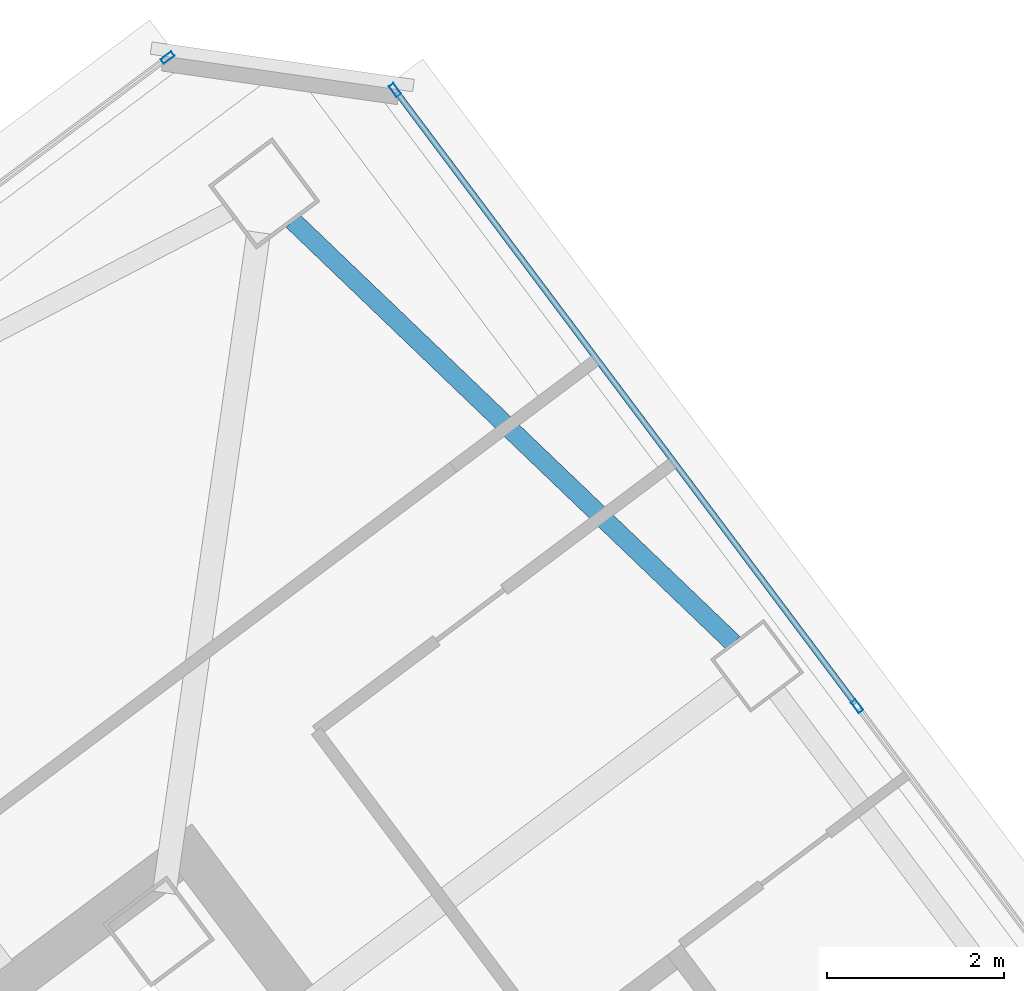
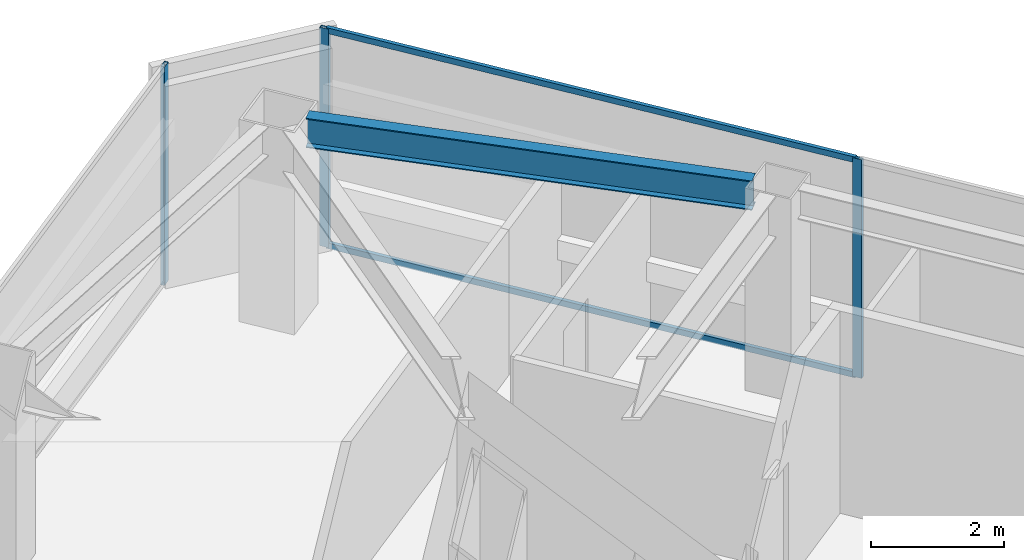
# One storey, part 37 of 51: 5 members, 1 beam, 2 elements without a shape of their own.
"""IFC4 building model written with IfcOpenShell, lengths in metres."""

from ifc_helpers import new_model, si_unit, direction, frame, origin, origin_2d, place, context, subcontext, project, spatial, hollow_rectangle, i_section, extrude, material, material_profile, profile_set, type_object, element, aggregate, save


model = new_model("IFC4")

# Units and contexts
model_context = context("Model", 3, precision=1e-05, world=origin(), true_north=direction((0.0, 1.0)))
body_context = subcontext(model_context, "Body", "Model", "MODEL_VIEW")
ifc_project = project(units=[si_unit("LENGTHUNIT", "METRE"), si_unit("AREAUNIT", "SQUARE_METRE"), si_unit("VOLUMEUNIT", "CUBIC_METRE"), si_unit("PLANEANGLEUNIT", "RADIAN"), si_unit("MASSUNIT", "GRAM", prefix="KILO")], contexts=[model_context])

# Site, building, storey
site_placement = place(None, origin())
site = spatial("IfcSite", under=ifc_project, at=site_placement, CompositionType="ELEMENT")
building_placement = place(site_placement, origin())
building = spatial("IfcBuilding", under=site, at=building_placement, Name="Tashvorn Skyway Center", CompositionType="ELEMENT")
storey_placement = place(building_placement, frame((0.0, 0.0, 259.39990234375)))
storey = spatial("IfcBuildingStorey", under=building, at=storey_placement, Name="L70", CompositionType="ELEMENT", Elevation=259.39990234375)

# Beam
ifc_material_1 = material(Name="Steel ASTM A992 Grade 50", Category="steel")
ifc_material_profile_1 = material_profile(ifc_material_1, i_section(OverallWidth=0.2109375, OverallDepth=0.5390625, WebThickness=0.01171875, FlangeThickness=0.018798828125, at=origin_2d()), Name="W21X73")
ifc_profile_set_1 = profile_set([ifc_material_profile_1], Name="Steel ASTM A992 Grade 50")
beam_type = type_object("IfcBeamType", Name="BM-SPANDREL-W21X73", PredefinedType="SPANDREL", material=ifc_profile_set_1)
beam_placement = place(storey_placement, frame((121.892822265625, 45.1259765625, 3.4306640625), z_axis=(-0.721873091786, 0.692025461493, 0.0), x_axis=(-0.692025461493, -0.721873091786, 0.0)))
element("IfcBeam", 1, at=beam_placement, inside=storey, type_object=beam_type, Name="Tower 2 L70 Spandrel Beam 06", PredefinedType="SPANDREL", context=body_context, shape_type="SweptSolid", body=[
    extrude(i_section(OverallWidth=0.2109375, OverallDepth=0.5390625, WebThickness=0.01171875, FlangeThickness=0.018798828125, at=origin_2d()), origin(), (0.0, 0.0, 1.0), 6.88720703125),
])

# Curtain wall, member
ifc_material_2 = material(Name="Thermally broken bronze-anodized aluminium 6063-T6", Category="aluminium")
curtain_wall_type = type_object("IfcCurtainWallType", Name="CW-CW-SKY", PredefinedType="NOTDEFINED", material=ifc_material_2)
curtain_wall_1_placement = place(storey_placement, origin())
curtain_wall_1 = element("IfcCurtainWall", 2, at=curtain_wall_1_placement, inside=storey, type_object=curtain_wall_type, Name="Tower 2 L70 North Curtain Wall B", PredefinedType="NOTDEFINED")
ifc_material_profile_2 = material_profile(ifc_material_2, hollow_rectangle(XDim=0.06494140625, YDim=0.14990234375, WallThickness=0.00390625, at=origin_2d()), Name="ALU-MULL-65x150")
ifc_profile_set_2 = profile_set([ifc_material_profile_2], Name="Thermally broken bronze-anodized aluminium 6063-T6")
member_type_1 = type_object("IfcMemberType", Name="CWM-CW-SKY", PredefinedType="MULLION", material=ifc_profile_set_2)
member_1_placement = place(storey_placement, frame((115.510009765625, 51.732421875, 0.0), z_axis=(0.0, 0.0, 1.0), x_axis=(-0.600000000002, 0.799999999998, 0.0)))
member_1 = element("IfcMember", 3, at=member_1_placement, type_object=member_type_1, Name="CW-SKY mullion 3", PredefinedType="MULLION", context=body_context, shape_type="SweptSolid", body=[
    extrude(hollow_rectangle(XDim=0.06494140625, YDim=0.14990234375, WallThickness=0.00390625, at=origin_2d()), origin(), (0.0, 0.0, 1.0), 4.0),
])
aggregate(curtain_wall_1, [member_1])

# Curtain wall, members
curtain_wall_2_placement = place(storey_placement, origin())
curtain_wall_2 = element("IfcCurtainWall", 4, at=curtain_wall_2_placement, inside=storey, type_object=curtain_wall_type, Name="Tower 2 L70 East Unitised Curtain Wall", PredefinedType="NOTDEFINED")
member_2_placement = place(storey_placement, frame((118.075439453125, 51.365966796875, 0.0), z_axis=(0.0, 0.0, 1.0), x_axis=(0.799999999998, 0.600000000002, 0.0)))
member_2 = element("IfcMember", 5, at=member_2_placement, type_object=member_type_1, Name="CW-SKY mullion 1", PredefinedType="MULLION", context=body_context, shape_type="SweptSolid", body=[
    extrude(hollow_rectangle(XDim=0.06494140625, YDim=0.14990234375, WallThickness=0.00390625, at=origin_2d()), origin(), (0.0, 0.0, 1.0), 4.0),
])
member_3_placement = place(storey_placement, frame((123.2880859375, 44.416015625, 0.0), z_axis=(0.0, 0.0, 1.0), x_axis=(0.799999999998, 0.600000000002, 0.0)))
member_3 = element("IfcMember", 6, at=member_3_placement, type_object=member_type_1, Name="CW-SKY mullion 2", PredefinedType="MULLION", context=body_context, shape_type="SweptSolid", body=[
    extrude(hollow_rectangle(XDim=0.06494140625, YDim=0.14990234375, WallThickness=0.00390625, at=origin_2d()), origin(), (0.0, 0.0, 1.0), 4.0),
])
ifc_material_profile_3 = material_profile(ifc_material_2, hollow_rectangle(XDim=0.06494140625, YDim=0.10498046875, WallThickness=0.00390625, at=origin_2d()), Name="ALU-TRAN-65x105")
ifc_profile_set_3 = profile_set([ifc_material_profile_3], Name="Thermally broken bronze-anodized aluminium 6063-T6")
member_type_2 = type_object("IfcMemberType", Name="CWT-CW-SKY", PredefinedType="USERDEFINED", material=ifc_profile_set_3)
member_4_placement = place(storey_placement, frame((118.094970703125, 51.340087890625, 0.03271484375), z_axis=(0.599995469799, -0.80000339763, 0.0), x_axis=(0.80000339763, 0.599995469799, 0.0)))
member_4 = element("IfcMember", 7, at=member_4_placement, type_object=member_type_2, Name="CW-SKY transom 1.1", ObjectType="TRANSOM", PredefinedType="USERDEFINED", context=body_context, shape_type="SweptSolid", body=[
    extrude(hollow_rectangle(XDim=0.06494140625, YDim=0.10498046875, WallThickness=0.00390625, at=origin_2d()), origin(), (0.0, 0.0, 1.0), 8.622802734375),
])
member_5_placement = place(storey_placement, frame((118.094970703125, 51.340087890625, 3.967529296875), z_axis=(0.599995469799, -0.80000339763, 0.0), x_axis=(0.80000339763, 0.599995469799, 0.0)))
member_5 = element("IfcMember", 8, at=member_5_placement, type_object=member_type_2, Name="CW-SKY transom 1.2", ObjectType="TRANSOM", PredefinedType="USERDEFINED", context=body_context, shape_type="SweptSolid", body=[
    extrude(hollow_rectangle(XDim=0.06494140625, YDim=0.10498046875, WallThickness=0.00390625, at=origin_2d()), origin(), (0.0, 0.0, 1.0), 8.622802734375),
])
aggregate(curtain_wall_2, [member_2, member_3, member_4, member_5])

save(model, "model.ifc")
